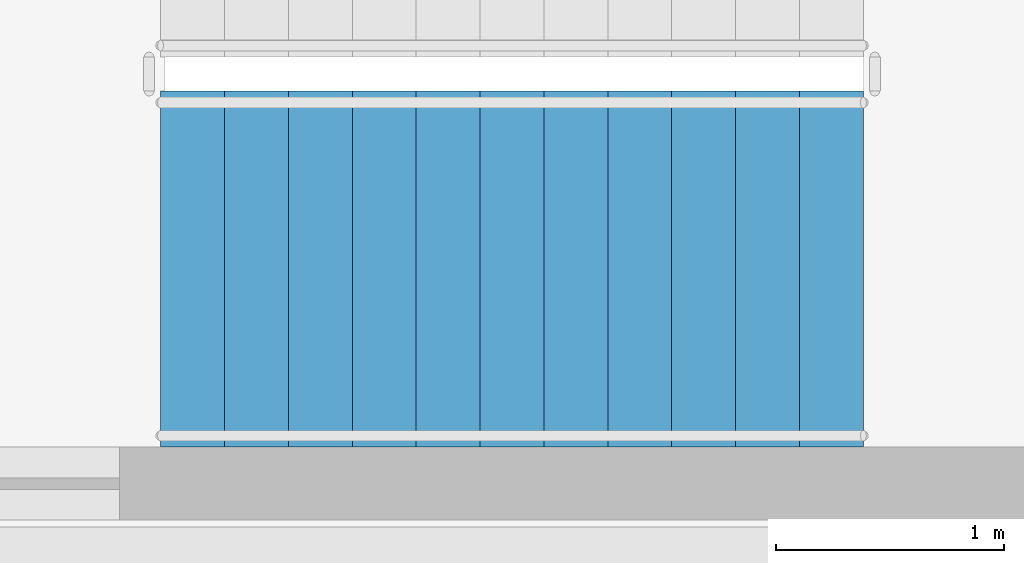
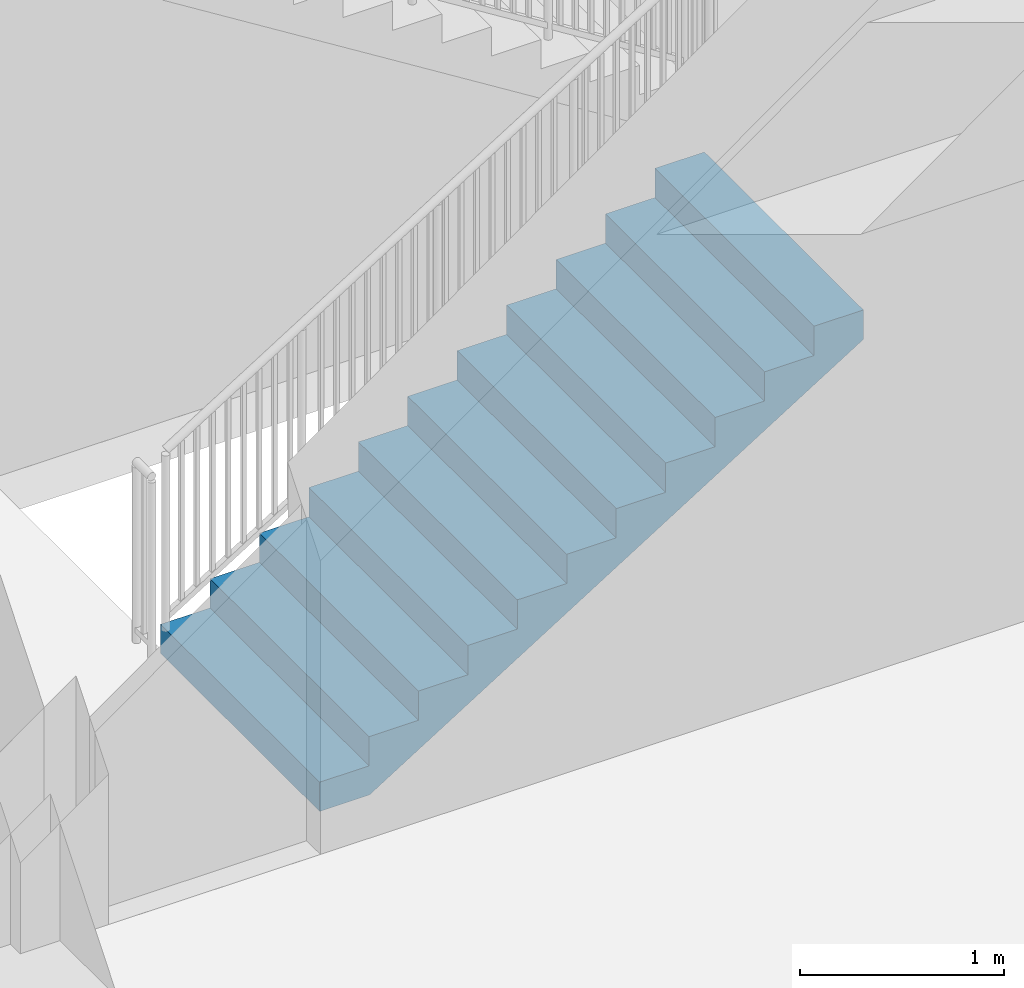
# One storey, part 44 of 63: 1 stair flight, 1 element without a shape of its own.
"""IFC4 building model written with IfcOpenShell, lengths in metres."""

from ifc_helpers import new_model, si_unit, direction, frame, origin, place, context, subcontext, project, spatial, polygons, material, type_object, element, aggregate, save


model = new_model("IFC4")

# Units and contexts
model_context = context("Model", 3, precision=1e-05, world=origin(), true_north=direction((0.0, 1.0)))
body_context = subcontext(model_context, "Body", "Model", "MODEL_VIEW")
ifc_project = project(units=[si_unit("LENGTHUNIT", "METRE"), si_unit("AREAUNIT", "SQUARE_METRE"), si_unit("VOLUMEUNIT", "CUBIC_METRE"), si_unit("PLANEANGLEUNIT", "RADIAN"), si_unit("MASSUNIT", "GRAM", prefix="KILO")], contexts=[model_context])

# Site, building, storey
site_placement = place(None, origin())
site = spatial("IfcSite", under=ifc_project, at=site_placement, CompositionType="ELEMENT")
building_placement = place(site_placement, origin())
building = spatial("IfcBuilding", under=site, at=building_placement, Name="Zantavel Square City Hall", CompositionType="ELEMENT")
storey_placement = place(building_placement, frame((0.0, 0.0, 14.699951171875)))
storey = spatial("IfcBuildingStorey", under=building, at=storey_placement, Name="L04", CompositionType="ELEMENT", Elevation=14.699951171875)

# Stair, stair flight
ifc_material = material(Name="Concrete C35/45", Category="concrete")
stair_type = type_object("IfcStairType", Name="Enclosed Core Dogleg Stair L04 H4200", PredefinedType="HALF_TURN_STAIR", material=ifc_material)
stair_placement = place(storey_placement, origin())
stair = element("IfcStair", 1, at=stair_placement, inside=storey, type_object=stair_type, Name="L04 Exit Stair 5 Central West Core", PredefinedType="HALF_TURN_STAIR")
stair_flight_type = type_object("IfcStairFlightType", Name="Enclosed Core Stair Flight L04 W1560", PredefinedType="STRAIGHT", material=ifc_material)
stair_flight_placement = place(storey_placement, frame((66.030029296875, 62.179931640625, 0.0), z_axis=(0.0, 0.0, 1.0), x_axis=(1.0, 0.0, 0.0)))
stair_flight = element("IfcStairFlight", 2, at=stair_flight_placement, type_object=stair_flight_type, Name="ST5 flight 1", NumberOfRisers=12, NumberOfTreads=11, PredefinedType="STRAIGHT", RiserHeight=0.175, TreadLength=0.28, context=body_context, shape_type="Tessellation", body=[
    polygons([(0.28271484375, -0.780029296875, 0.0), (3.080078125, -0.780029296875, 1.748291015625), (3.080078125, -0.780029296875, 1.925048828125), (2.800048828125, -0.780029296875, 1.925048828125), (2.800048828125, -0.780029296875, 1.75), (2.52001953125, -0.780029296875, 1.75), (2.52001953125, -0.780029296875, 1.574951171875), (2.239990234375, -0.780029296875, 1.574951171875), (2.239990234375, -0.780029296875, 1.39990234375), (1.9599609375, -0.780029296875, 1.39990234375), (1.9599609375, -0.780029296875, 1.22509765625), (1.679931640625, -0.780029296875, 1.22509765625), (1.679931640625, -0.780029296875, 1.050048828125), (1.39990234375, -0.780029296875, 1.050048828125), (1.39990234375, -0.780029296875, 0.875), (1.1201171875, -0.780029296875, 0.875), (1.1201171875, -0.780029296875, 0.699951171875), (0.840087890625, -0.780029296875, 0.699951171875), (0.840087890625, -0.780029296875, 0.52490234375), (0.56005859375, -0.780029296875, 0.52490234375), (0.56005859375, -0.780029296875, 0.35009765625), (0.280029296875, -0.780029296875, 0.35009765625), (0.280029296875, -0.780029296875, 0.175048828125), (0.0, -0.780029296875, 0.175048828125), (0.0, -0.780029296875, 0.0), (0.28271484375, -0.5849609375, 0.0), (3.080078125, -0.5849609375, 1.748291015625), (3.080078125, -0.5849609375, 1.925048828125), (2.800048828125, -0.5849609375, 1.925048828125), (2.800048828125, -0.5849609375, 1.75), (2.52001953125, -0.5849609375, 1.75), (2.52001953125, -0.5849609375, 1.574951171875), (2.239990234375, -0.5849609375, 1.574951171875), (2.239990234375, -0.5849609375, 1.39990234375), (1.9599609375, -0.5849609375, 1.39990234375), (1.9599609375, -0.5849609375, 1.22509765625), (1.679931640625, -0.5849609375, 1.22509765625), (1.679931640625, -0.5849609375, 1.050048828125), (1.39990234375, -0.5849609375, 1.050048828125), (1.39990234375, -0.5849609375, 0.875), (1.1201171875, -0.5849609375, 0.875), (1.1201171875, -0.5849609375, 0.699951171875), (0.840087890625, -0.5849609375, 0.699951171875), (0.840087890625, -0.5849609375, 0.52490234375), (0.56005859375, -0.5849609375, 0.52490234375), (0.56005859375, -0.5849609375, 0.35009765625), (0.280029296875, -0.5849609375, 0.35009765625), (0.280029296875, -0.5849609375, 0.175048828125), (0.0, -0.5849609375, 0.175048828125), (0.0, -0.5849609375, 0.0), (0.28271484375, -0.39013671875, 0.0), (3.080078125, -0.39013671875, 1.748291015625), (3.080078125, -0.39013671875, 1.925048828125), (2.800048828125, -0.39013671875, 1.925048828125), (2.800048828125, -0.39013671875, 1.75), (2.52001953125, -0.39013671875, 1.75), (2.52001953125, -0.39013671875, 1.574951171875), (2.239990234375, -0.39013671875, 1.574951171875), (2.239990234375, -0.39013671875, 1.39990234375), (1.9599609375, -0.39013671875, 1.39990234375), (1.9599609375, -0.39013671875, 1.22509765625), (1.679931640625, -0.39013671875, 1.22509765625), (1.679931640625, -0.39013671875, 1.050048828125), (1.39990234375, -0.39013671875, 1.050048828125), (1.39990234375, -0.39013671875, 0.875), (1.1201171875, -0.39013671875, 0.875), (1.1201171875, -0.39013671875, 0.699951171875), (0.840087890625, -0.39013671875, 0.699951171875), (0.840087890625, -0.39013671875, 0.52490234375), (0.56005859375, -0.39013671875, 0.52490234375), (0.56005859375, -0.39013671875, 0.35009765625), (0.280029296875, -0.39013671875, 0.35009765625), (0.280029296875, -0.39013671875, 0.175048828125), (0.0, -0.39013671875, 0.175048828125), (0.0, -0.39013671875, 0.0), (0.28271484375, -0.195068359375, 0.0), (3.080078125, -0.195068359375, 1.748291015625), (3.080078125, -0.195068359375, 1.925048828125), (2.800048828125, -0.195068359375, 1.925048828125), (2.800048828125, -0.195068359375, 1.75), (2.52001953125, -0.195068359375, 1.75), (2.52001953125, -0.195068359375, 1.574951171875), (2.239990234375, -0.195068359375, 1.574951171875), (2.239990234375, -0.195068359375, 1.39990234375), (1.9599609375, -0.195068359375, 1.39990234375), (1.9599609375, -0.195068359375, 1.22509765625), (1.679931640625, -0.195068359375, 1.22509765625), (1.679931640625, -0.195068359375, 1.050048828125), (1.39990234375, -0.195068359375, 1.050048828125), (1.39990234375, -0.195068359375, 0.875), (1.1201171875, -0.195068359375, 0.875), (1.1201171875, -0.195068359375, 0.699951171875), (0.840087890625, -0.195068359375, 0.699951171875), (0.840087890625, -0.195068359375, 0.52490234375), (0.56005859375, -0.195068359375, 0.52490234375), (0.56005859375, -0.195068359375, 0.35009765625), (0.280029296875, -0.195068359375, 0.35009765625), (0.280029296875, -0.195068359375, 0.175048828125), (0.0, -0.195068359375, 0.175048828125), (0.0, -0.195068359375, 0.0), (0.28271484375, 0.0, 0.0), (3.080078125, 0.0, 1.748291015625), (3.080078125, 0.0, 1.925048828125), (2.800048828125, 0.0, 1.925048828125), (2.800048828125, 0.0, 1.75), (2.52001953125, 0.0, 1.75), (2.52001953125, 0.0, 1.574951171875), (2.239990234375, 0.0, 1.574951171875), (2.239990234375, 0.0, 1.39990234375), (1.9599609375, 0.0, 1.39990234375), (1.9599609375, 0.0, 1.22509765625), (1.679931640625, 0.0, 1.22509765625), (1.679931640625, 0.0, 1.050048828125), (1.39990234375, 0.0, 1.050048828125), (1.39990234375, 0.0, 0.875), (1.1201171875, 0.0, 0.875), (1.1201171875, 0.0, 0.699951171875), (0.840087890625, 0.0, 0.699951171875), (0.840087890625, 0.0, 0.52490234375), (0.56005859375, 0.0, 0.52490234375), (0.56005859375, 0.0, 0.35009765625), (0.280029296875, 0.0, 0.35009765625), (0.280029296875, 0.0, 0.175048828125), (0.0, 0.0, 0.175048828125), (0.0, 0.0, 0.0), (0.28271484375, 0.195068359375, 0.0), (3.080078125, 0.195068359375, 1.748291015625), (3.080078125, 0.195068359375, 1.925048828125), (2.800048828125, 0.195068359375, 1.925048828125), (2.800048828125, 0.195068359375, 1.75), (2.52001953125, 0.195068359375, 1.75), (2.52001953125, 0.195068359375, 1.574951171875), (2.239990234375, 0.195068359375, 1.574951171875), (2.239990234375, 0.195068359375, 1.39990234375), (1.9599609375, 0.195068359375, 1.39990234375), (1.9599609375, 0.195068359375, 1.22509765625), (1.679931640625, 0.195068359375, 1.22509765625), (1.679931640625, 0.195068359375, 1.050048828125), (1.39990234375, 0.195068359375, 1.050048828125), (1.39990234375, 0.195068359375, 0.875), (1.1201171875, 0.195068359375, 0.875), (1.1201171875, 0.195068359375, 0.699951171875), (0.840087890625, 0.195068359375, 0.699951171875), (0.840087890625, 0.195068359375, 0.52490234375), (0.56005859375, 0.195068359375, 0.52490234375), (0.56005859375, 0.195068359375, 0.35009765625), (0.280029296875, 0.195068359375, 0.35009765625), (0.280029296875, 0.195068359375, 0.175048828125), (0.0, 0.195068359375, 0.175048828125), (0.0, 0.195068359375, 0.0), (0.28271484375, 0.39013671875, 0.0), (3.080078125, 0.39013671875, 1.748291015625), (3.080078125, 0.39013671875, 1.925048828125), (2.800048828125, 0.39013671875, 1.925048828125), (2.800048828125, 0.39013671875, 1.75), (2.52001953125, 0.39013671875, 1.75), (2.52001953125, 0.39013671875, 1.574951171875), (2.239990234375, 0.39013671875, 1.574951171875), (2.239990234375, 0.39013671875, 1.39990234375), (1.9599609375, 0.39013671875, 1.39990234375), (1.9599609375, 0.39013671875, 1.22509765625), (1.679931640625, 0.39013671875, 1.22509765625), (1.679931640625, 0.39013671875, 1.050048828125), (1.39990234375, 0.39013671875, 1.050048828125), (1.39990234375, 0.39013671875, 0.875), (1.1201171875, 0.39013671875, 0.875), (1.1201171875, 0.39013671875, 0.699951171875), (0.840087890625, 0.39013671875, 0.699951171875), (0.840087890625, 0.39013671875, 0.52490234375), (0.56005859375, 0.39013671875, 0.52490234375), (0.56005859375, 0.39013671875, 0.35009765625), (0.280029296875, 0.39013671875, 0.35009765625), (0.280029296875, 0.39013671875, 0.175048828125), (0.0, 0.39013671875, 0.175048828125), (0.0, 0.39013671875, 0.0), (0.28271484375, 0.5849609375, 0.0), (3.080078125, 0.5849609375, 1.748291015625), (3.080078125, 0.5849609375, 1.925048828125), (2.800048828125, 0.5849609375, 1.925048828125), (2.800048828125, 0.5849609375, 1.75), (2.52001953125, 0.5849609375, 1.75), (2.52001953125, 0.5849609375, 1.574951171875), (2.239990234375, 0.5849609375, 1.574951171875), (2.239990234375, 0.5849609375, 1.39990234375), (1.9599609375, 0.5849609375, 1.39990234375), (1.9599609375, 0.5849609375, 1.22509765625), (1.679931640625, 0.5849609375, 1.22509765625), (1.679931640625, 0.5849609375, 1.050048828125), (1.39990234375, 0.5849609375, 1.050048828125), (1.39990234375, 0.5849609375, 0.875), (1.1201171875, 0.5849609375, 0.875), (1.1201171875, 0.5849609375, 0.699951171875), (0.840087890625, 0.5849609375, 0.699951171875), (0.840087890625, 0.5849609375, 0.52490234375), (0.56005859375, 0.5849609375, 0.52490234375), (0.56005859375, 0.5849609375, 0.35009765625), (0.280029296875, 0.5849609375, 0.35009765625), (0.280029296875, 0.5849609375, 0.175048828125), (0.0, 0.5849609375, 0.175048828125), (0.0, 0.5849609375, 0.0), (0.28271484375, 0.780029296875, 0.0), (3.080078125, 0.780029296875, 1.748291015625), (3.080078125, 0.780029296875, 1.925048828125), (2.800048828125, 0.780029296875, 1.925048828125), (2.800048828125, 0.780029296875, 1.75), (2.52001953125, 0.780029296875, 1.75), (2.52001953125, 0.780029296875, 1.574951171875), (2.239990234375, 0.780029296875, 1.574951171875), (2.239990234375, 0.780029296875, 1.39990234375), (1.9599609375, 0.780029296875, 1.39990234375), (1.9599609375, 0.780029296875, 1.22509765625), (1.679931640625, 0.780029296875, 1.22509765625), (1.679931640625, 0.780029296875, 1.050048828125), (1.39990234375, 0.780029296875, 1.050048828125), (1.39990234375, 0.780029296875, 0.875), (1.1201171875, 0.780029296875, 0.875), (1.1201171875, 0.780029296875, 0.699951171875), (0.840087890625, 0.780029296875, 0.699951171875), (0.840087890625, 0.780029296875, 0.52490234375), (0.56005859375, 0.780029296875, 0.52490234375), (0.56005859375, 0.780029296875, 0.35009765625), (0.280029296875, 0.780029296875, 0.35009765625), (0.280029296875, 0.780029296875, 0.175048828125), (0.0, 0.780029296875, 0.175048828125), (0.0, 0.780029296875, 0.0)], [[[1, 2, 3, 4, 5, 6, 7, 8, 9, 10, 11, 12, 13, 14, 15, 16, 17, 18, 19, 20, 21, 22, 23, 24, 25]], [[225, 224, 223, 222, 221, 220, 219, 218, 217, 216, 215, 214, 213, 212, 211, 210, 209, 208, 207, 206, 205, 204, 203, 202, 201]], [[1, 26, 27]], [[1, 27, 2]], [[2, 27, 28]], [[2, 28, 3]], [[3, 28, 29]], [[3, 29, 4]], [[4, 29, 30]], [[4, 30, 5]], [[5, 30, 31]], [[5, 31, 6]], [[6, 31, 32]], [[6, 32, 7]], [[7, 32, 33]], [[7, 33, 8]], [[8, 33, 34]], [[8, 34, 9]], [[9, 34, 35]], [[9, 35, 10]], [[10, 35, 36]], [[10, 36, 11]], [[11, 36, 37]], [[11, 37, 12]], [[12, 37, 38]], [[12, 38, 13]], [[13, 38, 39]], [[13, 39, 14]], [[14, 39, 40]], [[14, 40, 15]], [[15, 40, 41]], [[15, 41, 16]], [[16, 41, 42]], [[16, 42, 17]], [[17, 42, 43]], [[17, 43, 18]], [[18, 43, 44]], [[18, 44, 19]], [[19, 44, 45]], [[19, 45, 20]], [[20, 45, 46]], [[20, 46, 21]], [[21, 46, 47]], [[21, 47, 22]], [[22, 47, 48]], [[22, 48, 23]], [[23, 48, 49]], [[23, 49, 24]], [[24, 49, 50]], [[24, 50, 25]], [[25, 50, 26]], [[25, 26, 1]], [[26, 51, 52]], [[26, 52, 27]], [[27, 52, 53]], [[27, 53, 28]], [[28, 53, 54]], [[28, 54, 29]], [[29, 54, 55]], [[29, 55, 30]], [[30, 55, 56]], [[30, 56, 31]], [[31, 56, 57]], [[31, 57, 32]], [[32, 57, 58]], [[32, 58, 33]], [[33, 58, 59]], [[33, 59, 34]], [[34, 59, 60]], [[34, 60, 35]], [[35, 60, 61]], [[35, 61, 36]], [[36, 61, 62]], [[36, 62, 37]], [[37, 62, 63]], [[37, 63, 38]], [[38, 63, 64]], [[38, 64, 39]], [[39, 64, 65]], [[39, 65, 40]], [[40, 65, 66]], [[40, 66, 41]], [[41, 66, 67]], [[41, 67, 42]], [[42, 67, 68]], [[42, 68, 43]], [[43, 68, 69]], [[43, 69, 44]], [[44, 69, 70]], [[44, 70, 45]], [[45, 70, 71]], [[45, 71, 46]], [[46, 71, 72]], [[46, 72, 47]], [[47, 72, 73]], [[47, 73, 48]], [[48, 73, 74]], [[48, 74, 49]], [[49, 74, 75]], [[49, 75, 50]], [[50, 75, 51]], [[50, 51, 26]], [[51, 76, 77]], [[51, 77, 52]], [[52, 77, 78]], [[52, 78, 53]], [[53, 78, 79]], [[53, 79, 54]], [[54, 79, 80]], [[54, 80, 55]], [[55, 80, 81]], [[55, 81, 56]], [[56, 81, 82]], [[56, 82, 57]], [[57, 82, 83]], [[57, 83, 58]], [[58, 83, 84]], [[58, 84, 59]], [[59, 84, 85]], [[59, 85, 60]], [[60, 85, 86]], [[60, 86, 61]], [[61, 86, 87]], [[61, 87, 62]], [[62, 87, 88]], [[62, 88, 63]], [[63, 88, 89]], [[63, 89, 64]], [[64, 89, 90]], [[64, 90, 65]], [[65, 90, 91]], [[65, 91, 66]], [[66, 91, 92]], [[66, 92, 67]], [[67, 92, 93]], [[67, 93, 68]], [[68, 93, 94]], [[68, 94, 69]], [[69, 94, 95]], [[69, 95, 70]], [[70, 95, 96]], [[70, 96, 71]], [[71, 96, 97]], [[71, 97, 72]], [[72, 97, 98]], [[72, 98, 73]], [[73, 98, 99]], [[73, 99, 74]], [[74, 99, 100]], [[74, 100, 75]], [[75, 100, 76]], [[75, 76, 51]], [[76, 101, 102]], [[76, 102, 77]], [[77, 102, 103]], [[77, 103, 78]], [[78, 103, 104]], [[78, 104, 79]], [[79, 104, 105]], [[79, 105, 80]], [[80, 105, 106]], [[80, 106, 81]], [[81, 106, 107]], [[81, 107, 82]], [[82, 107, 108]], [[82, 108, 83]], [[83, 108, 109]], [[83, 109, 84]], [[84, 109, 110]], [[84, 110, 85]], [[85, 110, 111]], [[85, 111, 86]], [[86, 111, 112]], [[86, 112, 87]], [[87, 112, 113]], [[87, 113, 88]], [[88, 113, 114]], [[88, 114, 89]], [[89, 114, 115]], [[89, 115, 90]], [[90, 115, 116]], [[90, 116, 91]], [[91, 116, 117]], [[91, 117, 92]], [[92, 117, 118]], [[92, 118, 93]], [[93, 118, 119]], [[93, 119, 94]], [[94, 119, 120]], [[94, 120, 95]], [[95, 120, 121]], [[95, 121, 96]], [[96, 121, 122]], [[96, 122, 97]], [[97, 122, 123]], [[97, 123, 98]], [[98, 123, 124]], [[98, 124, 99]], [[99, 124, 125]], [[99, 125, 100]], [[100, 125, 101]], [[100, 101, 76]], [[101, 126, 102]], [[126, 127, 102]], [[102, 127, 103]], [[127, 128, 103]], [[103, 128, 104]], [[128, 129, 104]], [[104, 129, 105]], [[129, 130, 105]], [[105, 130, 106]], [[130, 131, 106]], [[106, 131, 107]], [[131, 132, 107]], [[107, 132, 108]], [[132, 133, 108]], [[108, 133, 109]], [[133, 134, 109]], [[109, 134, 110]], [[134, 135, 110]], [[110, 135, 111]], [[135, 136, 111]], [[111, 136, 112]], [[136, 137, 112]], [[112, 137, 113]], [[137, 138, 113]], [[113, 138, 114]], [[138, 139, 114]], [[114, 139, 115]], [[139, 140, 115]], [[115, 140, 116]], [[140, 141, 116]], [[116, 141, 117]], [[141, 142, 117]], [[117, 142, 118]], [[142, 143, 118]], [[118, 143, 119]], [[143, 144, 119]], [[119, 144, 120]], [[144, 145, 120]], [[120, 145, 121]], [[145, 146, 121]], [[121, 146, 122]], [[146, 147, 122]], [[122, 147, 123]], [[147, 148, 123]], [[123, 148, 124]], [[148, 149, 124]], [[124, 149, 125]], [[149, 150, 125]], [[125, 150, 101]], [[150, 126, 101]], [[126, 151, 127]], [[151, 152, 127]], [[127, 152, 128]], [[152, 153, 128]], [[128, 153, 129]], [[153, 154, 129]], [[129, 154, 130]], [[154, 155, 130]], [[130, 155, 131]], [[155, 156, 131]], [[131, 156, 132]], [[156, 157, 132]], [[132, 157, 133]], [[157, 158, 133]], [[133, 158, 134]], [[158, 159, 134]], [[134, 159, 135]], [[159, 160, 135]], [[135, 160, 136]], [[160, 161, 136]], [[136, 161, 137]], [[161, 162, 137]], [[137, 162, 138]], [[162, 163, 138]], [[138, 163, 139]], [[163, 164, 139]], [[139, 164, 140]], [[164, 165, 140]], [[140, 165, 141]], [[165, 166, 141]], [[141, 166, 142]], [[166, 167, 142]], [[142, 167, 143]], [[167, 168, 143]], [[143, 168, 144]], [[168, 169, 144]], [[144, 169, 145]], [[169, 170, 145]], [[145, 170, 146]], [[170, 171, 146]], [[146, 171, 147]], [[171, 172, 147]], [[147, 172, 148]], [[172, 173, 148]], [[148, 173, 149]], [[173, 174, 149]], [[149, 174, 150]], [[174, 175, 150]], [[150, 175, 126]], [[175, 151, 126]], [[151, 176, 152]], [[176, 177, 152]], [[152, 177, 153]], [[177, 178, 153]], [[153, 178, 154]], [[178, 179, 154]], [[154, 179, 155]], [[179, 180, 155]], [[155, 180, 156]], [[180, 181, 156]], [[156, 181, 157]], [[181, 182, 157]], [[157, 182, 158]], [[182, 183, 158]], [[158, 183, 159]], [[183, 184, 159]], [[159, 184, 160]], [[184, 185, 160]], [[160, 185, 161]], [[185, 186, 161]], [[161, 186, 162]], [[186, 187, 162]], [[162, 187, 163]], [[187, 188, 163]], [[163, 188, 164]], [[188, 189, 164]], [[164, 189, 165]], [[189, 190, 165]], [[165, 190, 166]], [[190, 191, 166]], [[166, 191, 167]], [[191, 192, 167]], [[167, 192, 168]], [[192, 193, 168]], [[168, 193, 169]], [[193, 194, 169]], [[169, 194, 170]], [[194, 195, 170]], [[170, 195, 171]], [[195, 196, 171]], [[171, 196, 172]], [[196, 197, 172]], [[172, 197, 173]], [[197, 198, 173]], [[173, 198, 174]], [[198, 199, 174]], [[174, 199, 175]], [[199, 200, 175]], [[175, 200, 151]], [[200, 176, 151]], [[176, 201, 177]], [[201, 202, 177]], [[177, 202, 178]], [[202, 203, 178]], [[178, 203, 179]], [[203, 204, 179]], [[179, 204, 180]], [[204, 205, 180]], [[180, 205, 181]], [[205, 206, 181]], [[181, 206, 182]], [[206, 207, 182]], [[182, 207, 183]], [[207, 208, 183]], [[183, 208, 184]], [[208, 209, 184]], [[184, 209, 185]], [[209, 210, 185]], [[185, 210, 186]], [[210, 211, 186]], [[186, 211, 187]], [[211, 212, 187]], [[187, 212, 188]], [[212, 213, 188]], [[188, 213, 189]], [[213, 214, 189]], [[189, 214, 190]], [[214, 215, 190]], [[190, 215, 191]], [[215, 216, 191]], [[191, 216, 192]], [[216, 217, 192]], [[192, 217, 193]], [[217, 218, 193]], [[193, 218, 194]], [[218, 219, 194]], [[194, 219, 195]], [[219, 220, 195]], [[195, 220, 196]], [[220, 221, 196]], [[196, 221, 197]], [[221, 222, 197]], [[197, 222, 198]], [[222, 223, 198]], [[198, 223, 199]], [[223, 224, 199]], [[199, 224, 200]], [[224, 225, 200]], [[200, 225, 176]], [[225, 201, 176]]], closed=True),
])
aggregate(stair, [stair_flight])

save(model, "model.ifc")
